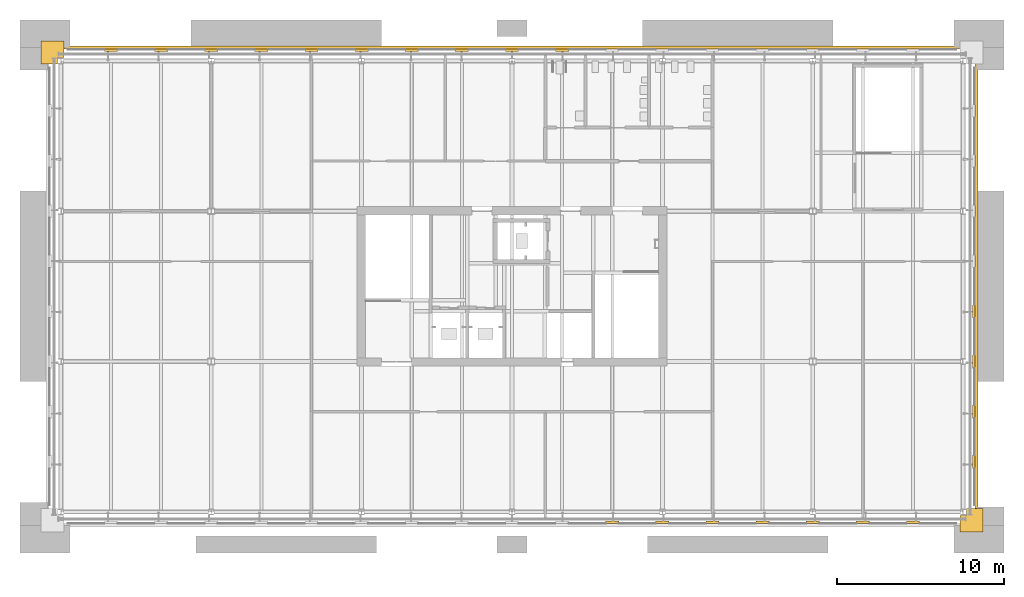
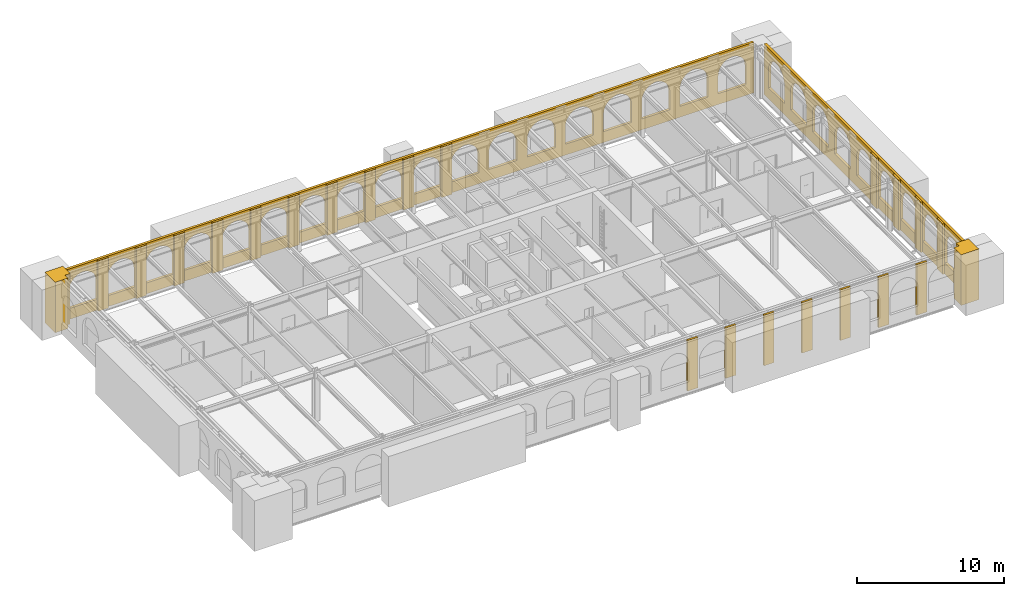
# One storey, part 22 of 24: 23 shading devices, 2 coverings.
"""IFC4 building model written with IfcOpenShell, lengths in metres."""

from ifc_helpers import new_model, si_unit, direction, frame, origin, origin_2d, place, context, subcontext, project, spatial, polyline, rectangle, outline, extrude, material, layer, layer_set, type_object, element, save


model = new_model("IFC4")

# Units and contexts
model_context = context("Model", 3, precision=1e-05, world=origin(), true_north=direction((0.0, 1.0)))
body_context = subcontext(model_context, "Body", "Model", "MODEL_VIEW")
ifc_project = project(units=[si_unit("LENGTHUNIT", "METRE"), si_unit("AREAUNIT", "SQUARE_METRE"), si_unit("VOLUMEUNIT", "CUBIC_METRE"), si_unit("PLANEANGLEUNIT", "RADIAN"), si_unit("MASSUNIT", "GRAM", prefix="KILO")], contexts=[model_context])

# Site, building, storey
site_placement = place(None, origin())
site = spatial("IfcSite", under=ifc_project, at=site_placement, CompositionType="ELEMENT")
building_placement = place(site_placement, origin())
building = spatial("IfcBuilding", under=site, at=building_placement, Name="Baradari Gate Terminus", CompositionType="ELEMENT")
storey_placement = place(building_placement, frame((0.0, 0.0, 32.699951171875)))
storey = spatial("IfcBuildingStorey", under=building, at=storey_placement, Name="L07", CompositionType="ELEMENT", Elevation=32.699951171875)

# Coverings
ifc_material_1 = material(Name="Light ochre laterite masonry", Category="masonry")
ifc_layer = layer(ifc_material_1, 0.199951171875)
ifc_layer_set = layer_set([ifc_layer], Name="Light ochre laterite masonry")
covering_type = type_object("IfcCoveringType", Name="Laterite arcade cladding LC-2 200", PredefinedType="CLADDING", material=ifc_layer_set)
covering_1_placement = place(storey_placement, frame((63.800048828125, 116.800048828125, 0.0), z_axis=(0.0, 0.0, 1.0), x_axis=(0.0, 1.0, 0.0)))
element("IfcCovering", 1, at=covering_1_placement, inside=storey, type_object=covering_type, Name="Laterite arcade cladding LC-2 L07 E face 1", PredefinedType="CLADDING", context=body_context, shape_type="SweptSolid", body=[
    extrude(outline(polyline([(0.0, 0.0), (27.39990234375, 0.0), (27.39990234375, 4.199951171875), (0.0, 4.199951171875), (0.0, 0.0)]), holes=[polyline([(0.63671875, 2.695068359375), (0.681884765625, 2.836669921875), (0.744384765625, 2.971923828125), (0.822998046875, 3.09814453125), (0.91650390625, 3.2138671875), (1.023681640625, 3.317138671875), (1.142822265625, 3.406494140625), (1.272216796875, 3.48046875), (1.409423828125, 3.537841796875), (1.552734375, 3.577880859375), (1.699951171875, 3.60009765625), (1.84716796875, 3.577880859375), (1.990478515625, 3.537841796875), (2.1279296875, 3.48046875), (2.257080078125, 3.406494140625), (2.376220703125, 3.317138671875), (2.4833984375, 3.2138671875), (2.576904296875, 3.09814453125), (2.655517578125, 2.971923828125), (2.718017578125, 2.836669921875), (2.76318359375, 2.695068359375), (2.790771484375, 2.548583984375), (2.800048828125, 2.400146484375), (2.800048828125, 0.900146484375), (0.60009765625, 0.900146484375), (0.60009765625, 2.400146484375), (0.609130859375, 2.548583984375), (0.63671875, 2.695068359375)]), polyline([(3.63671875, 2.695068359375), (3.681884765625, 2.836669921875), (3.744384765625, 2.971923828125), (3.822998046875, 3.09814453125), (3.91650390625, 3.2138671875), (4.023681640625, 3.317138671875), (4.142822265625, 3.406494140625), (4.272216796875, 3.48046875), (4.409423828125, 3.537841796875), (4.552734375, 3.577880859375), (4.699951171875, 3.60009765625), (4.84716796875, 3.577880859375), (4.990478515625, 3.537841796875), (5.1279296875, 3.48046875), (5.257080078125, 3.406494140625), (5.376220703125, 3.317138671875), (5.4833984375, 3.2138671875), (5.576904296875, 3.09814453125), (5.655517578125, 2.971923828125), (5.718017578125, 2.836669921875), (5.76318359375, 2.695068359375), (5.790771484375, 2.548583984375), (5.800048828125, 2.400146484375), (5.800048828125, 0.900146484375), (3.60009765625, 0.900146484375), (3.60009765625, 2.400146484375), (3.609130859375, 2.548583984375), (3.63671875, 2.695068359375)]), polyline([(6.63671875, 2.695068359375), (6.681884765625, 2.836669921875), (6.744384765625, 2.971923828125), (6.822998046875, 3.09814453125), (6.91650390625, 3.2138671875), (7.023681640625, 3.317138671875), (7.142822265625, 3.406494140625), (7.272216796875, 3.48046875), (7.409423828125, 3.537841796875), (7.552734375, 3.577880859375), (7.699951171875, 3.60009765625), (7.84716796875, 3.577880859375), (7.990478515625, 3.537841796875), (8.1279296875, 3.48046875), (8.257080078125, 3.406494140625), (8.376220703125, 3.317138671875), (8.4833984375, 3.2138671875), (8.576904296875, 3.09814453125), (8.655517578125, 2.971923828125), (8.718017578125, 2.836669921875), (8.76318359375, 2.695068359375), (8.790771484375, 2.548583984375), (8.800048828125, 2.400146484375), (8.800048828125, 0.900146484375), (6.60009765625, 0.900146484375), (6.60009765625, 2.400146484375), (6.609130859375, 2.548583984375), (6.63671875, 2.695068359375)]), polyline([(9.63671875, 2.695068359375), (9.681884765625, 2.836669921875), (9.744384765625, 2.971923828125), (9.822998046875, 3.09814453125), (9.91650390625, 3.2138671875), (10.023681640625, 3.317138671875), (10.142822265625, 3.406494140625), (10.272216796875, 3.48046875), (10.409423828125, 3.537841796875), (10.552734375, 3.577880859375), (10.699951171875, 3.60009765625), (10.84716796875, 3.577880859375), (10.990478515625, 3.537841796875), (11.1279296875, 3.48046875), (11.257080078125, 3.406494140625), (11.376220703125, 3.317138671875), (11.4833984375, 3.2138671875), (11.576904296875, 3.09814453125), (11.655517578125, 2.971923828125), (11.718017578125, 2.836669921875), (11.76318359375, 2.695068359375), (11.790771484375, 2.548583984375), (11.800048828125, 2.400146484375), (11.800048828125, 0.900146484375), (9.60009765625, 0.900146484375), (9.60009765625, 2.400146484375), (9.609130859375, 2.548583984375), (9.63671875, 2.695068359375)]), polyline([(12.63671875, 2.695068359375), (12.681884765625, 2.836669921875), (12.744384765625, 2.971923828125), (12.822998046875, 3.09814453125), (12.91650390625, 3.2138671875), (13.023681640625, 3.317138671875), (13.142822265625, 3.406494140625), (13.272216796875, 3.48046875), (13.409423828125, 3.537841796875), (13.552734375, 3.577880859375), (13.699951171875, 3.60009765625), (13.84716796875, 3.577880859375), (13.990478515625, 3.537841796875), (14.1279296875, 3.48046875), (14.257080078125, 3.406494140625), (14.376220703125, 3.317138671875), (14.4833984375, 3.2138671875), (14.576904296875, 3.09814453125), (14.655517578125, 2.971923828125), (14.718017578125, 2.836669921875), (14.76318359375, 2.695068359375), (14.790771484375, 2.548583984375), (14.800048828125, 2.400146484375), (14.800048828125, 0.900146484375), (12.60009765625, 0.900146484375), (12.60009765625, 2.400146484375), (12.609130859375, 2.548583984375), (12.63671875, 2.695068359375)]), polyline([(15.63671875, 2.695068359375), (15.681884765625, 2.836669921875), (15.744384765625, 2.971923828125), (15.822998046875, 3.09814453125), (15.91650390625, 3.2138671875), (16.023681640625, 3.317138671875), (16.142822265625, 3.406494140625), (16.272216796875, 3.48046875), (16.409423828125, 3.537841796875), (16.552734375, 3.577880859375), (16.699951171875, 3.60009765625), (16.84716796875, 3.577880859375), (16.990478515625, 3.537841796875), (17.1279296875, 3.48046875), (17.257080078125, 3.406494140625), (17.376220703125, 3.317138671875), (17.4833984375, 3.2138671875), (17.576904296875, 3.09814453125), (17.655517578125, 2.971923828125), (17.718017578125, 2.836669921875), (17.76318359375, 2.695068359375), (17.790771484375, 2.548583984375), (17.800048828125, 2.400146484375), (17.800048828125, 0.900146484375), (15.60009765625, 0.900146484375), (15.60009765625, 2.400146484375), (15.609130859375, 2.548583984375), (15.63671875, 2.695068359375)]), polyline([(18.63671875, 2.695068359375), (18.681884765625, 2.836669921875), (18.744384765625, 2.971923828125), (18.822998046875, 3.09814453125), (18.91650390625, 3.2138671875), (19.023681640625, 3.317138671875), (19.142822265625, 3.406494140625), (19.272216796875, 3.48046875), (19.409423828125, 3.537841796875), (19.552734375, 3.577880859375), (19.699951171875, 3.60009765625), (19.84716796875, 3.577880859375), (19.990478515625, 3.537841796875), (20.1279296875, 3.48046875), (20.257080078125, 3.406494140625), (20.376220703125, 3.317138671875), (20.4833984375, 3.2138671875), (20.576904296875, 3.09814453125), (20.655517578125, 2.971923828125), (20.718017578125, 2.836669921875), (20.76318359375, 2.695068359375), (20.790771484375, 2.548583984375), (20.800048828125, 2.400146484375), (20.800048828125, 0.900146484375), (18.60009765625, 0.900146484375), (18.60009765625, 2.400146484375), (18.609130859375, 2.548583984375), (18.63671875, 2.695068359375)]), polyline([(21.681884765625, 2.836669921875), (21.744384765625, 2.971923828125), (21.822998046875, 3.09814453125), (21.91650390625, 3.2138671875), (22.023681640625, 3.317138671875), (22.142822265625, 3.406494140625), (22.272216796875, 3.48046875), (22.409423828125, 3.537841796875), (22.552734375, 3.577880859375), (22.699951171875, 3.60009765625), (22.84716796875, 3.577880859375), (22.990478515625, 3.537841796875), (23.1279296875, 3.48046875), (23.257080078125, 3.406494140625), (23.376220703125, 3.317138671875), (23.4833984375, 3.2138671875), (23.576904296875, 3.09814453125), (23.655517578125, 2.971923828125), (23.718017578125, 2.836669921875), (23.76318359375, 2.695068359375), (23.790771484375, 2.548583984375), (23.800048828125, 2.400146484375), (23.800048828125, 0.900146484375), (21.60009765625, 0.900146484375), (21.60009765625, 2.400146484375), (21.609130859375, 2.548583984375), (21.63671875, 2.695068359375), (21.681884765625, 2.836669921875)]), polyline([(24.681884765625, 2.836669921875), (24.744384765625, 2.971923828125), (24.822998046875, 3.09814453125), (24.91650390625, 3.2138671875), (25.023681640625, 3.317138671875), (25.142822265625, 3.406494140625), (25.272216796875, 3.48046875), (25.409423828125, 3.537841796875), (25.552734375, 3.577880859375), (25.699951171875, 3.60009765625), (25.84716796875, 3.577880859375), (25.990478515625, 3.537841796875), (26.1279296875, 3.48046875), (26.257080078125, 3.406494140625), (26.376220703125, 3.317138671875), (26.4833984375, 3.2138671875), (26.576904296875, 3.09814453125), (26.655517578125, 2.971923828125), (26.718017578125, 2.836669921875), (26.76318359375, 2.695068359375), (26.790771484375, 2.548583984375), (26.800048828125, 2.400146484375), (26.800048828125, 0.900146484375), (24.60009765625, 0.900146484375), (24.60009765625, 2.400146484375), (24.609130859375, 2.548583984375), (24.63671875, 2.695068359375), (24.681884765625, 2.836669921875)])]), frame((0.0, 0.10009765625, 0.0), z_axis=(0.0, -1.0, 0.0), x_axis=(1.0, 0.0, 0.0)), (0.0, 0.0, 1.0), 0.199951171875),
])
covering_2_placement = place(storey_placement, frame((63.199951171875, 144.800048828125, 0.0), z_axis=(0.0, 0.0, 1.0), x_axis=(-1.0, 0.0, 0.0)))
element("IfcCovering", 2, at=covering_2_placement, inside=storey, type_object=covering_type, Name="Laterite arcade cladding LC-2 L07 N face 1", PredefinedType="CLADDING", context=body_context, shape_type="SweptSolid", body=[
    extrude(outline(polyline([(0.0, 0.0), (54.39990234375, 0.0), (54.39990234375, 4.199951171875), (0.0, 4.199951171875), (0.0, 0.0)]), holes=[polyline([(0.681884765625, 2.836669921875), (0.744384765625, 2.971923828125), (0.822998046875, 3.09814453125), (0.91650390625, 3.2138671875), (1.023681640625, 3.317138671875), (1.142822265625, 3.406494140625), (1.272216796875, 3.48046875), (1.409423828125, 3.537841796875), (1.552734375, 3.577880859375), (1.699951171875, 3.60009765625), (1.84716796875, 3.577880859375), (1.990478515625, 3.537841796875), (2.1279296875, 3.48046875), (2.257080078125, 3.406494140625), (2.376220703125, 3.317138671875), (2.4833984375, 3.2138671875), (2.576904296875, 3.09814453125), (2.655517578125, 2.971923828125), (2.718017578125, 2.836669921875), (2.76318359375, 2.695068359375), (2.790771484375, 2.548583984375), (2.800048828125, 2.400146484375), (2.800048828125, 0.900146484375), (0.60009765625, 0.900146484375), (0.60009765625, 2.400146484375), (0.609130859375, 2.548583984375), (0.63671875, 2.695068359375), (0.681884765625, 2.836669921875)]), polyline([(3.681884765625, 2.836669921875), (3.744384765625, 2.971923828125), (3.822998046875, 3.09814453125), (3.91650390625, 3.2138671875), (4.023681640625, 3.317138671875), (4.142822265625, 3.406494140625), (4.272216796875, 3.48046875), (4.409423828125, 3.537841796875), (4.552734375, 3.577880859375), (4.699951171875, 3.60009765625), (4.84716796875, 3.577880859375), (4.990478515625, 3.537841796875), (5.1279296875, 3.48046875), (5.257080078125, 3.406494140625), (5.376220703125, 3.317138671875), (5.4833984375, 3.2138671875), (5.576904296875, 3.09814453125), (5.655517578125, 2.971923828125), (5.718017578125, 2.836669921875), (5.76318359375, 2.695068359375), (5.790771484375, 2.548583984375), (5.800048828125, 2.400146484375), (5.800048828125, 0.900146484375), (3.60009765625, 0.900146484375), (3.60009765625, 2.400146484375), (3.609130859375, 2.548583984375), (3.63671875, 2.695068359375), (3.681884765625, 2.836669921875)]), polyline([(6.681884765625, 2.836669921875), (6.744384765625, 2.971923828125), (6.822998046875, 3.09814453125), (6.91650390625, 3.2138671875), (7.023681640625, 3.317138671875), (7.142822265625, 3.406494140625), (7.272216796875, 3.48046875), (7.409423828125, 3.537841796875), (7.552734375, 3.577880859375), (7.699951171875, 3.60009765625), (7.84716796875, 3.577880859375), (7.990478515625, 3.537841796875), (8.1279296875, 3.48046875), (8.257080078125, 3.406494140625), (8.376220703125, 3.317138671875), (8.4833984375, 3.2138671875), (8.576904296875, 3.09814453125), (8.655517578125, 2.971923828125), (8.718017578125, 2.836669921875), (8.76318359375, 2.695068359375), (8.790771484375, 2.548583984375), (8.800048828125, 2.400146484375), (8.800048828125, 0.900146484375), (6.60009765625, 0.900146484375), (6.60009765625, 2.400146484375), (6.609130859375, 2.548583984375), (6.63671875, 2.695068359375), (6.681884765625, 2.836669921875)]), polyline([(9.681884765625, 2.836669921875), (9.744384765625, 2.971923828125), (9.822998046875, 3.09814453125), (9.91650390625, 3.2138671875), (10.023681640625, 3.317138671875), (10.142822265625, 3.406494140625), (10.272216796875, 3.48046875), (10.409423828125, 3.537841796875), (10.552734375, 3.577880859375), (10.699951171875, 3.60009765625), (10.84716796875, 3.577880859375), (10.990478515625, 3.537841796875), (11.1279296875, 3.48046875), (11.257080078125, 3.406494140625), (11.376220703125, 3.317138671875), (11.4833984375, 3.2138671875), (11.576904296875, 3.09814453125), (11.655517578125, 2.971923828125), (11.718017578125, 2.836669921875), (11.76318359375, 2.695068359375), (11.790771484375, 2.548583984375), (11.800048828125, 2.400146484375), (11.800048828125, 0.900146484375), (9.60009765625, 0.900146484375), (9.60009765625, 2.400146484375), (9.609130859375, 2.548583984375), (9.63671875, 2.695068359375), (9.681884765625, 2.836669921875)]), polyline([(12.681884765625, 2.836669921875), (12.744384765625, 2.971923828125), (12.822998046875, 3.09814453125), (12.91650390625, 3.2138671875), (13.023681640625, 3.317138671875), (13.142822265625, 3.406494140625), (13.272216796875, 3.48046875), (13.409423828125, 3.537841796875), (13.552734375, 3.577880859375), (13.699951171875, 3.60009765625), (13.84716796875, 3.577880859375), (13.990478515625, 3.537841796875), (14.1279296875, 3.48046875), (14.257080078125, 3.406494140625), (14.376220703125, 3.317138671875), (14.4833984375, 3.2138671875), (14.576904296875, 3.09814453125), (14.655517578125, 2.971923828125), (14.718017578125, 2.836669921875), (14.76318359375, 2.695068359375), (14.790771484375, 2.548583984375), (14.800048828125, 2.400146484375), (14.800048828125, 0.900146484375), (12.60009765625, 0.900146484375), (12.60009765625, 2.400146484375), (12.609130859375, 2.548583984375), (12.63671875, 2.695068359375), (12.681884765625, 2.836669921875)]), polyline([(15.681884765625, 2.836669921875), (15.744384765625, 2.971923828125), (15.822998046875, 3.09814453125), (15.91650390625, 3.2138671875), (16.023681640625, 3.317138671875), (16.142822265625, 3.406494140625), (16.272216796875, 3.48046875), (16.409423828125, 3.537841796875), (16.552734375, 3.577880859375), (16.699951171875, 3.60009765625), (16.84716796875, 3.577880859375), (16.990478515625, 3.537841796875), (17.1279296875, 3.48046875), (17.257080078125, 3.406494140625), (17.376220703125, 3.317138671875), (17.4833984375, 3.2138671875), (17.576904296875, 3.09814453125), (17.655517578125, 2.971923828125), (17.718017578125, 2.836669921875), (17.76318359375, 2.695068359375), (17.790771484375, 2.548583984375), (17.800048828125, 2.400146484375), (17.800048828125, 0.900146484375), (15.60009765625, 0.900146484375), (15.60009765625, 2.400146484375), (15.609130859375, 2.548583984375), (15.63671875, 2.695068359375), (15.681884765625, 2.836669921875)]), polyline([(18.681884765625, 2.836669921875), (18.744384765625, 2.971923828125), (18.822998046875, 3.09814453125), (18.91650390625, 3.2138671875), (19.023681640625, 3.317138671875), (19.142822265625, 3.406494140625), (19.272216796875, 3.48046875), (19.409423828125, 3.537841796875), (19.552734375, 3.577880859375), (19.699951171875, 3.60009765625), (19.84716796875, 3.577880859375), (19.990478515625, 3.537841796875), (20.1279296875, 3.48046875), (20.257080078125, 3.406494140625), (20.376220703125, 3.317138671875), (20.4833984375, 3.2138671875), (20.576904296875, 3.09814453125), (20.655517578125, 2.971923828125), (20.718017578125, 2.836669921875), (20.76318359375, 2.695068359375), (20.790771484375, 2.548583984375), (20.800048828125, 2.400146484375), (20.800048828125, 0.900146484375), (18.60009765625, 0.900146484375), (18.60009765625, 2.400146484375), (18.609130859375, 2.548583984375), (18.63671875, 2.695068359375), (18.681884765625, 2.836669921875)]), polyline([(21.744384765625, 2.971923828125), (21.822998046875, 3.09814453125), (21.91650390625, 3.2138671875), (22.023681640625, 3.317138671875), (22.142822265625, 3.406494140625), (22.272216796875, 3.48046875), (22.409423828125, 3.537841796875), (22.552734375, 3.577880859375), (22.699951171875, 3.60009765625), (22.84716796875, 3.577880859375), (22.990478515625, 3.537841796875), (23.1279296875, 3.48046875), (23.257080078125, 3.406494140625), (23.376220703125, 3.317138671875), (23.4833984375, 3.2138671875), (23.576904296875, 3.09814453125), (23.655517578125, 2.971923828125), (23.718017578125, 2.836669921875), (23.76318359375, 2.695068359375), (23.790771484375, 2.548583984375), (23.800048828125, 2.400146484375), (23.800048828125, 0.900146484375), (21.60009765625, 0.900146484375), (21.60009765625, 2.400146484375), (21.609130859375, 2.548583984375), (21.63671875, 2.695068359375), (21.681884765625, 2.836669921875), (21.744384765625, 2.971923828125)]), polyline([(24.744384765625, 2.971923828125), (24.822998046875, 3.09814453125), (24.91650390625, 3.2138671875), (25.023681640625, 3.317138671875), (25.142822265625, 3.406494140625), (25.272216796875, 3.48046875), (25.409423828125, 3.537841796875), (25.552734375, 3.577880859375), (25.699951171875, 3.60009765625), (25.84716796875, 3.577880859375), (25.990478515625, 3.537841796875), (26.1279296875, 3.48046875), (26.257080078125, 3.406494140625), (26.376220703125, 3.317138671875), (26.4833984375, 3.2138671875), (26.576904296875, 3.09814453125), (26.655517578125, 2.971923828125), (26.718017578125, 2.836669921875), (26.76318359375, 2.695068359375), (26.790771484375, 2.548583984375), (26.800048828125, 2.400146484375), (26.800048828125, 0.900146484375), (24.60009765625, 0.900146484375), (24.60009765625, 2.400146484375), (24.609130859375, 2.548583984375), (24.63671875, 2.695068359375), (24.681884765625, 2.836669921875), (24.744384765625, 2.971923828125)]), polyline([(27.681884765625, 2.836669921875), (27.744384765625, 2.971923828125), (27.822998046875, 3.09814453125), (27.91650390625, 3.2138671875), (28.023681640625, 3.317138671875), (28.142822265625, 3.406494140625), (28.272216796875, 3.48046875), (28.409423828125, 3.537841796875), (28.552734375, 3.577880859375), (28.699951171875, 3.60009765625), (28.84716796875, 3.577880859375), (28.990478515625, 3.537841796875), (29.1279296875, 3.48046875), (29.257080078125, 3.406494140625), (29.376220703125, 3.317138671875), (29.4833984375, 3.2138671875), (29.576904296875, 3.09814453125), (29.655517578125, 2.971923828125), (29.718017578125, 2.836669921875), (29.76318359375, 2.695068359375), (29.790771484375, 2.548583984375), (29.800048828125, 2.400146484375), (29.800048828125, 0.900146484375), (27.60009765625, 0.900146484375), (27.60009765625, 2.400146484375), (27.609130859375, 2.548583984375), (27.63671875, 2.695068359375), (27.681884765625, 2.836669921875)]), polyline([(30.681884765625, 2.836669921875), (30.744384765625, 2.971923828125), (30.822998046875, 3.09814453125), (30.91650390625, 3.2138671875), (31.023681640625, 3.317138671875), (31.142822265625, 3.406494140625), (31.272216796875, 3.48046875), (31.409423828125, 3.537841796875), (31.552734375, 3.577880859375), (31.699951171875, 3.60009765625), (31.84716796875, 3.577880859375), (31.990478515625, 3.537841796875), (32.1279296875, 3.48046875), (32.257080078125, 3.406494140625), (32.376220703125, 3.317138671875), (32.4833984375, 3.2138671875), (32.576904296875, 3.09814453125), (32.655517578125, 2.971923828125), (32.718017578125, 2.836669921875), (32.76318359375, 2.695068359375), (32.790771484375, 2.548583984375), (32.800048828125, 2.400146484375), (32.800048828125, 0.900146484375), (30.60009765625, 0.900146484375), (30.60009765625, 2.400146484375), (30.609130859375, 2.548583984375), (30.63671875, 2.695068359375), (30.681884765625, 2.836669921875)]), polyline([(33.681884765625, 2.836669921875), (33.744384765625, 2.971923828125), (33.822998046875, 3.09814453125), (33.91650390625, 3.2138671875), (34.023681640625, 3.317138671875), (34.142822265625, 3.406494140625), (34.272216796875, 3.48046875), (34.409423828125, 3.537841796875), (34.552734375, 3.577880859375), (34.699951171875, 3.60009765625), (34.84716796875, 3.577880859375), (34.990478515625, 3.537841796875), (35.1279296875, 3.48046875), (35.257080078125, 3.406494140625), (35.376220703125, 3.317138671875), (35.4833984375, 3.2138671875), (35.576904296875, 3.09814453125), (35.655517578125, 2.971923828125), (35.718017578125, 2.836669921875), (35.76318359375, 2.695068359375), (35.790771484375, 2.548583984375), (35.800048828125, 2.400146484375), (35.800048828125, 0.900146484375), (33.60009765625, 0.900146484375), (33.60009765625, 2.400146484375), (33.609130859375, 2.548583984375), (33.63671875, 2.695068359375), (33.681884765625, 2.836669921875)]), polyline([(36.681884765625, 2.836669921875), (36.744384765625, 2.971923828125), (36.822998046875, 3.09814453125), (36.91650390625, 3.2138671875), (37.023681640625, 3.317138671875), (37.142822265625, 3.406494140625), (37.272216796875, 3.48046875), (37.409423828125, 3.537841796875), (37.552734375, 3.577880859375), (37.699951171875, 3.60009765625), (37.84716796875, 3.577880859375), (37.990478515625, 3.537841796875), (38.1279296875, 3.48046875), (38.257080078125, 3.406494140625), (38.376220703125, 3.317138671875), (38.4833984375, 3.2138671875), (38.576904296875, 3.09814453125), (38.655517578125, 2.971923828125), (38.718017578125, 2.836669921875), (38.76318359375, 2.695068359375), (38.790771484375, 2.548583984375), (38.800048828125, 2.400146484375), (38.800048828125, 0.900146484375), (36.60009765625, 0.900146484375), (36.60009765625, 2.400146484375), (36.609130859375, 2.548583984375), (36.63671875, 2.695068359375), (36.681884765625, 2.836669921875)]), polyline([(39.681884765625, 2.836669921875), (39.744384765625, 2.971923828125), (39.822998046875, 3.09814453125), (39.91650390625, 3.2138671875), (40.023681640625, 3.317138671875), (40.142822265625, 3.406494140625), (40.272216796875, 3.48046875), (40.409423828125, 3.537841796875), (40.552734375, 3.577880859375), (40.699951171875, 3.60009765625), (40.84716796875, 3.577880859375), (40.990478515625, 3.537841796875), (41.1279296875, 3.48046875), (41.257080078125, 3.406494140625), (41.376220703125, 3.317138671875), (41.4833984375, 3.2138671875), (41.576904296875, 3.09814453125), (41.655517578125, 2.971923828125), (41.718017578125, 2.836669921875), (41.76318359375, 2.695068359375), (41.790771484375, 2.548583984375), (41.800048828125, 2.400146484375), (41.800048828125, 0.900146484375), (39.60009765625, 0.900146484375), (39.60009765625, 2.400146484375), (39.609130859375, 2.548583984375), (39.63671875, 2.695068359375), (39.681884765625, 2.836669921875)]), polyline([(42.681884765625, 2.836669921875), (42.744384765625, 2.971923828125), (42.822998046875, 3.09814453125), (42.91650390625, 3.2138671875), (43.023681640625, 3.317138671875), (43.142822265625, 3.406494140625), (43.272216796875, 3.48046875), (43.409423828125, 3.537841796875), (43.552734375, 3.577880859375), (43.699951171875, 3.60009765625), (43.84716796875, 3.577880859375), (43.990478515625, 3.537841796875), (44.1279296875, 3.48046875), (44.257080078125, 3.406494140625), (44.376220703125, 3.317138671875), (44.4833984375, 3.2138671875), (44.576904296875, 3.09814453125), (44.655517578125, 2.971923828125), (44.718017578125, 2.836669921875), (44.76318359375, 2.695068359375), (44.790771484375, 2.548583984375), (44.800048828125, 2.400146484375), (44.800048828125, 0.900146484375), (42.60009765625, 0.900146484375), (42.60009765625, 2.400146484375), (42.609130859375, 2.548583984375), (42.63671875, 2.695068359375), (42.681884765625, 2.836669921875)]), polyline([(45.681884765625, 2.836669921875), (45.744384765625, 2.971923828125), (45.822998046875, 3.09814453125), (45.91650390625, 3.2138671875), (46.023681640625, 3.317138671875), (46.142822265625, 3.406494140625), (46.272216796875, 3.48046875), (46.409423828125, 3.537841796875), (46.552734375, 3.577880859375), (46.699951171875, 3.60009765625), (46.84716796875, 3.577880859375), (46.990478515625, 3.537841796875), (47.1279296875, 3.48046875), (47.257080078125, 3.406494140625), (47.376220703125, 3.317138671875), (47.4833984375, 3.2138671875), (47.576904296875, 3.09814453125), (47.655517578125, 2.971923828125), (47.718017578125, 2.836669921875), (47.76318359375, 2.695068359375), (47.790771484375, 2.548583984375), (47.800048828125, 2.400146484375), (47.800048828125, 0.900146484375), (45.60009765625, 0.900146484375), (45.60009765625, 2.400146484375), (45.609130859375, 2.548583984375), (45.63671875, 2.695068359375), (45.681884765625, 2.836669921875)]), polyline([(48.744384765625, 2.971923828125), (48.822998046875, 3.09814453125), (48.91650390625, 3.2138671875), (49.023681640625, 3.317138671875), (49.142822265625, 3.406494140625), (49.272216796875, 3.48046875), (49.409423828125, 3.537841796875), (49.552734375, 3.577880859375), (49.699951171875, 3.60009765625), (49.84716796875, 3.577880859375), (49.990478515625, 3.537841796875), (50.1279296875, 3.48046875), (50.257080078125, 3.406494140625), (50.376220703125, 3.317138671875), (50.4833984375, 3.2138671875), (50.576904296875, 3.09814453125), (50.655517578125, 2.971923828125), (50.718017578125, 2.836669921875), (50.76318359375, 2.695068359375), (50.790771484375, 2.548583984375), (50.800048828125, 2.400146484375), (50.800048828125, 0.900146484375), (48.60009765625, 0.900146484375), (48.60009765625, 2.400146484375), (48.609130859375, 2.548583984375), (48.63671875, 2.695068359375), (48.681884765625, 2.836669921875), (48.744384765625, 2.971923828125)]), polyline([(51.744384765625, 2.971923828125), (51.822998046875, 3.09814453125), (51.91650390625, 3.2138671875), (52.023681640625, 3.317138671875), (52.142822265625, 3.406494140625), (52.272216796875, 3.48046875), (52.409423828125, 3.537841796875), (52.552734375, 3.577880859375), (52.699951171875, 3.60009765625), (52.84716796875, 3.577880859375), (52.990478515625, 3.537841796875), (53.1279296875, 3.48046875), (53.257080078125, 3.406494140625), (53.376220703125, 3.317138671875), (53.4833984375, 3.2138671875), (53.576904296875, 3.09814453125), (53.655517578125, 2.971923828125), (53.718017578125, 2.836669921875), (53.76318359375, 2.695068359375), (53.790771484375, 2.548583984375), (53.800048828125, 2.400146484375), (53.800048828125, 0.900146484375), (51.60009765625, 0.900146484375), (51.60009765625, 2.400146484375), (51.609130859375, 2.548583984375), (51.63671875, 2.695068359375), (51.681884765625, 2.836669921875), (51.744384765625, 2.971923828125)])]), frame((0.0, 0.10009765625, 0.0), z_axis=(0.0, -1.0, 0.0), x_axis=(1.0, 0.0, 0.0)), (0.0, 0.0, 1.0), 0.199951171875),
])

# Shading devices
ifc_material_2 = material(Name="Light ochre laterite masonry", Category="masonry")
shading_device_type_1 = type_object("IfcShadingDeviceType", Name="Laterite arcade pier TP-4 800x195", PredefinedType="SHUTTER", material=ifc_material_2)
for number, where, z_axis, x_axis, name in (
    (3, (42.0, 116.37744140625, 0.0), (0.0, 0.0, 1.0), (1.0, 0.0, 0.0), "Arcade pier TP-4 L07 S face"),
    (4, (45.0, 116.37744140625, 0.0), (0.0, 0.0, 1.0), (1.0, 0.0, 0.0), "Arcade pier TP-4 L07 S face"),
    (5, (48.0, 116.37744140625, 0.0), (0.0, 0.0, 1.0), (1.0, 0.0, 0.0), "Arcade pier TP-4 L07 S face"),
    (6, (51.0, 116.37744140625, 0.0), (0.0, 0.0, 1.0), (1.0, 0.0, 0.0), "Arcade pier TP-4 L07 S face"),
    (7, (54.0, 116.37744140625, 0.0), (0.0, 0.0, 1.0), (1.0, 0.0, 0.0), "Arcade pier TP-4 L07 S face"),
    (8, (57.0, 116.37744140625, 0.0), (0.0, 0.0, 1.0), (1.0, 0.0, 0.0), "Arcade pier TP-4 L07 S face"),
    (9, (60.0, 116.37744140625, 0.0), (0.0, 0.0, 1.0), (1.0, 0.0, 0.0), "Arcade pier TP-4 L07 S face"),
    (10, (63.62255859375, 120.0, 0.0), (0.0, 0.0, 1.0), (0.0, 1.0, 0.0), "Arcade pier TP-4 L07 E face"),
    (11, (63.62255859375, 123.0, 0.0), (0.0, 0.0, 1.0), (0.0, 1.0, 0.0), "Arcade pier TP-4 L07 E face"),
    (12, (63.62255859375, 126.0, 0.0), (0.0, 0.0, 1.0), (0.0, 1.0, 0.0), "Arcade pier TP-4 L07 E face"),
    (13, (63.62255859375, 129.0, 0.0), (0.0, 0.0, 1.0), (0.0, 1.0, 0.0), "Arcade pier TP-4 L07 E face"),
    (14, (39.0, 144.62255859375, 0.0), (0.0, 0.0, 1.0), (-1.0, 0.0, 0.0), "Arcade pier TP-4 L07 N face"),
    (15, (36.0, 144.62255859375, 0.0), (0.0, 0.0, 1.0), (-1.0, 0.0, 0.0), "Arcade pier TP-4 L07 N face"),
    (16, (33.0, 144.62255859375, 0.0), (0.0, 0.0, 1.0), (-1.0, 0.0, 0.0), "Arcade pier TP-4 L07 N face"),
    (17, (30.0, 144.62255859375, 0.0), (0.0, 0.0, 1.0), (-1.0, 0.0, 0.0), "Arcade pier TP-4 L07 N face"),
    (18, (27.0, 144.62255859375, 0.0), (0.0, 0.0, 1.0), (-1.0, 0.0, 0.0), "Arcade pier TP-4 L07 N face"),
    (19, (24.0, 144.62255859375, 0.0), (0.0, 0.0, 1.0), (-1.0, 0.0, 0.0), "Arcade pier TP-4 L07 N face"),
    (20, (21.0, 144.62255859375, 0.0), (0.0, 0.0, 1.0), (-1.0, 0.0, 0.0), "Arcade pier TP-4 L07 N face"),
    (21, (18.0, 144.62255859375, 0.0), (0.0, 0.0, 1.0), (-1.0, 0.0, 0.0), "Arcade pier TP-4 L07 N face"),
    (22, (15.0, 144.62255859375, 0.0), (0.0, 0.0, 1.0), (-1.0, 0.0, 0.0), "Arcade pier TP-4 L07 N face"),
    (23, (12.0, 144.62255859375, 0.0), (0.0, 0.0, 1.0), (-1.0, 0.0, 0.0), "Arcade pier TP-4 L07 N face"),
):
    element("IfcShadingDevice", number, at=place(storey_placement, frame(where, z_axis=z_axis, x_axis=x_axis)), inside=storey, type_object=shading_device_type_1, Name=name, PredefinedType="SHUTTER", context=body_context, shape_type="SweptSolid", body=[
        extrude(rectangle(XDim=0.800048828125, YDim=0.155029296875, at=origin_2d()), origin(), (0.0, 0.0, 1.0), 4.199951171875),
    ])
ifc_material_3 = material(Name="Light ochre laterite masonry", Category="masonry")
shading_device_type_2 = type_object("IfcShadingDeviceType", Name="Laterite corner pier QP-1 1000x1000", PredefinedType="SHUTTER", material=ifc_material_3)
shading_device_1_placement = place(storey_placement, origin())
element("IfcShadingDevice", 24, at=shading_device_1_placement, inside=storey, type_object=shading_device_type_2, Name="Corner pier QP-1 L07 at grid 63/117", PredefinedType="SHUTTER", context=body_context, shape_type="SweptSolid", body=[
    extrude(outline(polyline([(62.800048828125, 115.800048828125), (62.800048828125, 116.800048828125), (63.199951171875, 116.800048828125), (63.199951171875, 117.199951171875), (64.199951171875, 117.199951171875), (64.199951171875, 115.800048828125), (62.800048828125, 115.800048828125)])), origin(), (0.0, 0.0, 1.0), 4.199951171875),
])
shading_device_2_placement = place(storey_placement, origin())
element("IfcShadingDevice", 25, at=shading_device_2_placement, inside=storey, type_object=shading_device_type_2, Name="Corner pier QP-1 L07 at grid 9/144", PredefinedType="SHUTTER", context=body_context, shape_type="SweptSolid", body=[
    extrude(outline(polyline([(8.800048828125, 143.800048828125), (7.800048828125, 143.800048828125), (7.800048828125, 145.199951171875), (9.199951171875, 145.199951171875), (9.199951171875, 144.199951171875), (8.800048828125, 144.199951171875), (8.800048828125, 143.800048828125)])), origin(), (0.0, 0.0, 1.0), 4.199951171875),
])

save(model, "model.ifc")
